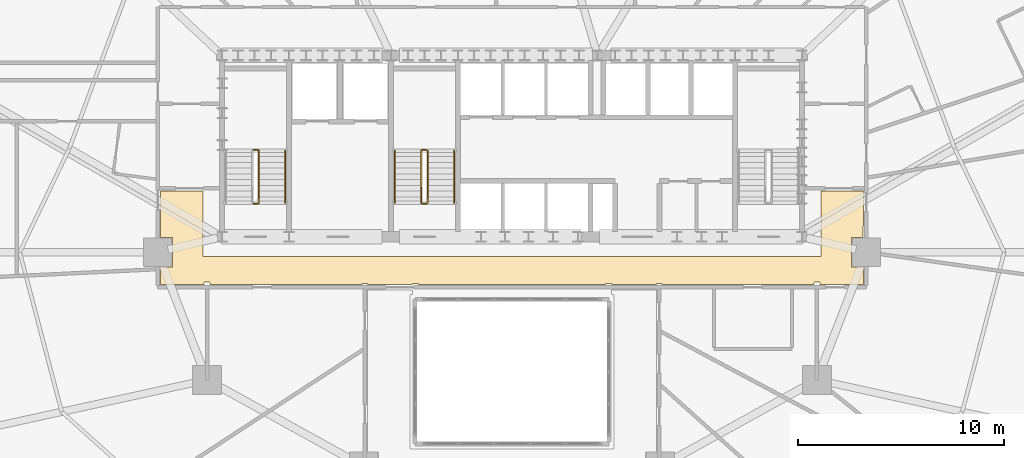
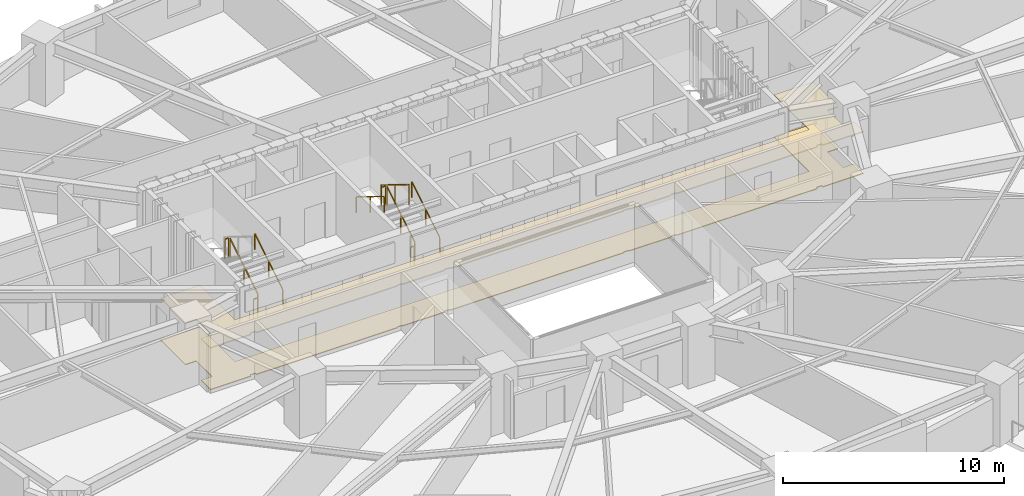
# One storey, part 15 of 17: 10 railings, 2 coverings.
"""IFC4 building model written with IfcOpenShell, lengths in metres."""

from ifc_helpers import new_model, si_unit, direction, frame, origin, origin_2d, place, context, subcontext, project, spatial, polyline, rectangle, outline, extrude, material, layer, layer_set, type_object, element, save


model = new_model("IFC4")

# Units and contexts
model_context = context("Model", 3, precision=1e-05, world=origin(), true_north=direction((0.0, 1.0)))
body_context = subcontext(model_context, "Body", "Model", "MODEL_VIEW")
ifc_project = project(units=[si_unit("LENGTHUNIT", "METRE"), si_unit("AREAUNIT", "SQUARE_METRE"), si_unit("VOLUMEUNIT", "CUBIC_METRE"), si_unit("PLANEANGLEUNIT", "RADIAN"), si_unit("MASSUNIT", "GRAM", prefix="KILO")], contexts=[model_context])

# Site, building, storey
site_placement = place(None, origin())
site = spatial("IfcSite", under=ifc_project, at=site_placement, CompositionType="ELEMENT")
building_placement = place(site_placement, origin())
building = spatial("IfcBuilding", under=site, at=building_placement, Name="Haldorwick Loom Tower", CompositionType="ELEMENT")
storey_placement = place(building_placement, frame((0.0, 0.0, 65.39990234375)))
storey = spatial("IfcBuildingStorey", under=building, at=storey_placement, Name="L17", CompositionType="ELEMENT", Elevation=65.39990234375)

# Coverings
ifc_material_1 = material(Name="Mineral Fibre Acoustic Ceiling Tile")
ifc_layer_1 = layer(ifc_material_1, 0.054931640625, Name="Mineral Fibre Acoustic Ceiling Tile")
ifc_layer_set_1 = layer_set([ifc_layer_1], Name="Mineral Fibre Acoustic Ceiling Tile")
covering_type_1 = type_object("IfcCoveringType", Name="ARC-COV-CEIL2", PredefinedType="CEILING", material=ifc_layer_set_1)
covering_1_placement = place(storey_placement, frame((0.0, 0.0, 2.302001953125)))
element("IfcCovering", 1, at=covering_1_placement, inside=storey, type_object=covering_type_1, Name="L17 Acoustic Suspended Ceiling 2", PredefinedType="CEILING", context=body_context, shape_type="SweptSolid", body=[
    extrude(outline(polyline([(51.0, 28.9599609375), (51.0, 25.800048828125), (21.0, 25.800048828125), (21.0, 28.9599609375), (18.93994140625, 28.9599609375), (18.93994140625, 26.7080078125), (19.508056640625, 26.7080078125), (19.508056640625, 25.2919921875), (18.93994140625, 25.2919921875), (18.93994140625, 24.43994140625), (21.06005859375, 24.43994140625), (21.06005859375, 24.52001953125), (21.06005859375, 24.52197265625), (21.060302734375, 24.52392578125), (21.060791015625, 24.52587890625), (21.0615234375, 24.527587890625), (21.0625, 24.529296875), (21.0634765625, 24.531005859375), (21.064453125, 24.53271484375), (21.06591796875, 24.5341796875), (21.0673828125, 24.535400390625), (21.06884765625, 24.53662109375), (21.070556640625, 24.53759765625), (21.072265625, 24.53857421875), (21.07421875, 24.5390625), (21.076171875, 24.53955078125), (21.077880859375, 24.539794921875), (21.080078125, 24.5400390625), (21.320068359375, 24.5400390625), (21.322021484375, 24.539794921875), (21.323974609375, 24.53955078125), (21.32568359375, 24.5390625), (21.32763671875, 24.53857421875), (21.329345703125, 24.53759765625), (21.3310546875, 24.53662109375), (21.332763671875, 24.535400390625), (21.333984375, 24.5341796875), (21.33544921875, 24.53271484375), (21.336669921875, 24.531005859375), (21.337646484375, 24.529296875), (21.33837890625, 24.527587890625), (21.339111328125, 24.52587890625), (21.339599609375, 24.52392578125), (21.33984375, 24.52197265625), (21.340087890625, 24.52001953125), (21.340087890625, 24.43994140625), (28.7099609375, 24.43994140625), (28.7099609375, 24.469970703125), (28.710205078125, 24.471923828125), (28.71044921875, 24.473876953125), (28.7109375, 24.475830078125), (28.71142578125, 24.477783203125), (28.71240234375, 24.4794921875), (28.71337890625, 24.481201171875), (28.714599609375, 24.482666015625), (28.7158203125, 24.484130859375), (28.71728515625, 24.485595703125), (28.718994140625, 24.486572265625), (28.720703125, 24.487548828125), (28.722412109375, 24.488525390625), (28.72412109375, 24.489013671875), (28.72607421875, 24.489501953125), (28.72802734375, 24.489990234375), (28.72998046875, 24.489990234375), (28.969970703125, 24.489990234375), (28.971923828125, 24.489990234375), (28.973876953125, 24.489501953125), (28.975830078125, 24.489013671875), (28.977783203125, 24.488525390625), (28.9794921875, 24.487548828125), (28.981201171875, 24.486572265625), (28.982666015625, 24.485595703125), (28.984130859375, 24.484130859375), (28.985595703125, 24.482666015625), (28.986572265625, 24.481201171875), (28.987548828125, 24.4794921875), (28.988525390625, 24.477783203125), (28.989013671875, 24.475830078125), (28.989501953125, 24.473876953125), (28.989990234375, 24.471923828125), (28.989990234375, 24.469970703125), (28.989990234375, 24.43994140625), (31.179931640625, 24.43994140625), (31.179931640625, 24.469970703125), (31.18017578125, 24.471923828125), (31.180419921875, 24.473876953125), (31.180908203125, 24.475830078125), (31.181396484375, 24.477783203125), (31.182373046875, 24.4794921875), (31.183349609375, 24.481201171875), (31.1845703125, 24.482666015625), (31.185791015625, 24.484130859375), (31.187255859375, 24.485595703125), (31.18896484375, 24.486572265625), (31.190673828125, 24.487548828125), (31.1923828125, 24.488525390625), (31.194091796875, 24.489013671875), (31.196044921875, 24.489501953125), (31.197998046875, 24.489990234375), (31.199951171875, 24.489990234375), (31.43994140625, 24.489990234375), (31.44189453125, 24.489990234375), (31.44384765625, 24.489501953125), (31.44580078125, 24.489013671875), (31.44775390625, 24.488525390625), (31.449462890625, 24.487548828125), (31.451171875, 24.486572265625), (31.45263671875, 24.485595703125), (31.4541015625, 24.484130859375), (31.45556640625, 24.482666015625), (31.45654296875, 24.481201171875), (31.45751953125, 24.4794921875), (31.45849609375, 24.477783203125), (31.458984375, 24.475830078125), (31.459716796875, 24.473876953125), (31.4599609375, 24.471923828125), (31.4599609375, 24.469970703125), (31.4599609375, 24.43994140625), (40.5400390625, 24.43994140625), (40.5400390625, 24.469970703125), (40.5400390625, 24.471923828125), (40.540283203125, 24.473876953125), (40.541015625, 24.475830078125), (40.54150390625, 24.477783203125), (40.54248046875, 24.4794921875), (40.54345703125, 24.481201171875), (40.54443359375, 24.482666015625), (40.5458984375, 24.484130859375), (40.54736328125, 24.485595703125), (40.548828125, 24.486572265625), (40.550537109375, 24.487548828125), (40.55224609375, 24.488525390625), (40.55419921875, 24.489013671875), (40.55615234375, 24.489501953125), (40.55810546875, 24.489990234375), (40.56005859375, 24.489990234375), (40.800048828125, 24.489990234375), (40.802001953125, 24.489990234375), (40.803955078125, 24.489501953125), (40.805908203125, 24.489013671875), (40.8076171875, 24.488525390625), (40.809326171875, 24.487548828125), (40.81103515625, 24.486572265625), (40.812744140625, 24.485595703125), (40.814208984375, 24.484130859375), (40.8154296875, 24.482666015625), (40.816650390625, 24.481201171875), (40.817626953125, 24.4794921875), (40.818603515625, 24.477783203125), (40.819091796875, 24.475830078125), (40.819580078125, 24.473876953125), (40.81982421875, 24.471923828125), (40.820068359375, 24.469970703125), (40.820068359375, 24.43994140625), (43.010009765625, 24.43994140625), (43.010009765625, 24.469970703125), (43.010009765625, 24.471923828125), (43.010498046875, 24.473876953125), (43.010986328125, 24.475830078125), (43.011474609375, 24.477783203125), (43.012451171875, 24.4794921875), (43.013427734375, 24.481201171875), (43.014404296875, 24.482666015625), (43.015869140625, 24.484130859375), (43.017333984375, 24.485595703125), (43.018798828125, 24.486572265625), (43.0205078125, 24.487548828125), (43.022216796875, 24.488525390625), (43.024169921875, 24.489013671875), (43.026123046875, 24.489501953125), (43.028076171875, 24.489990234375), (43.030029296875, 24.489990234375), (43.27001953125, 24.489990234375), (43.27197265625, 24.489990234375), (43.27392578125, 24.489501953125), (43.27587890625, 24.489013671875), (43.277587890625, 24.488525390625), (43.279296875, 24.487548828125), (43.281005859375, 24.486572265625), (43.28271484375, 24.485595703125), (43.2841796875, 24.484130859375), (43.285400390625, 24.482666015625), (43.28662109375, 24.481201171875), (43.28759765625, 24.4794921875), (43.28857421875, 24.477783203125), (43.2890625, 24.475830078125), (43.28955078125, 24.473876953125), (43.289794921875, 24.471923828125), (43.2900390625, 24.469970703125), (43.2900390625, 24.43994140625), (50.659912109375, 24.43994140625), (50.659912109375, 24.52001953125), (50.66015625, 24.52197265625), (50.660400390625, 24.52392578125), (50.660888671875, 24.52587890625), (50.66162109375, 24.527587890625), (50.662353515625, 24.529296875), (50.663330078125, 24.531005859375), (50.66455078125, 24.53271484375), (50.666015625, 24.5341796875), (50.667236328125, 24.535400390625), (50.6689453125, 24.53662109375), (50.670654296875, 24.53759765625), (50.67236328125, 24.53857421875), (50.67431640625, 24.5390625), (50.676025390625, 24.53955078125), (50.677978515625, 24.539794921875), (50.679931640625, 24.5400390625), (50.919921875, 24.5400390625), (50.922119140625, 24.539794921875), (50.923828125, 24.53955078125), (50.92578125, 24.5390625), (50.927734375, 24.53857421875), (50.929443359375, 24.53759765625), (50.93115234375, 24.53662109375), (50.9326171875, 24.535400390625), (50.93408203125, 24.5341796875), (50.935546875, 24.53271484375), (50.9365234375, 24.531005859375), (50.9375, 24.529296875), (50.9384765625, 24.527587890625), (50.939208984375, 24.52587890625), (50.939697265625, 24.52392578125), (50.93994140625, 24.52197265625), (50.93994140625, 24.52001953125), (50.93994140625, 24.43994140625), (53.06005859375, 24.43994140625), (53.06005859375, 25.2919921875), (52.491943359375, 25.2919921875), (52.491943359375, 26.7080078125), (53.048583984375, 26.7080078125), (53.059814453125, 28.9599609375), (51.0, 28.9599609375)])), origin(), (0.0, 0.0, 1.0), 0.05517578125),
])
ifc_material_2 = material(Name="Polished Aggregate Terrazzo Finish")
ifc_layer_2 = layer(ifc_material_2, 0.044921875, Name="Polished Aggregate Terrazzo Finish")
ifc_layer_set_2 = layer_set([ifc_layer_2], Name="Polished Aggregate Terrazzo Finish")
covering_type_2 = type_object("IfcCoveringType", Name="ARC-COV-FLOOR2", PredefinedType="FLOORING", material=ifc_layer_set_2)
covering_2_placement = place(storey_placement, origin())
element("IfcCovering", 2, at=covering_2_placement, inside=storey, type_object=covering_type_2, Name="L17 Floor Finish 2", PredefinedType="FLOORING", context=body_context, shape_type="SweptSolid", body=[
    extrude(outline(polyline([(51.0, 28.9599609375), (51.0, 25.800048828125), (21.0, 25.800048828125), (21.0, 28.9599609375), (18.93994140625, 28.9599609375), (18.93994140625, 26.7080078125), (19.508056640625, 26.7080078125), (19.508056640625, 25.2919921875), (18.93994140625, 25.2919921875), (18.93994140625, 24.43994140625), (21.06005859375, 24.43994140625), (21.06005859375, 24.52001953125), (21.06005859375, 24.52197265625), (21.060302734375, 24.52392578125), (21.060791015625, 24.52587890625), (21.0615234375, 24.527587890625), (21.0625, 24.529296875), (21.0634765625, 24.531005859375), (21.064453125, 24.53271484375), (21.06591796875, 24.5341796875), (21.0673828125, 24.535400390625), (21.06884765625, 24.53662109375), (21.070556640625, 24.53759765625), (21.072265625, 24.53857421875), (21.07421875, 24.5390625), (21.076171875, 24.53955078125), (21.077880859375, 24.539794921875), (21.080078125, 24.5400390625), (21.320068359375, 24.5400390625), (21.322021484375, 24.539794921875), (21.323974609375, 24.53955078125), (21.32568359375, 24.5390625), (21.32763671875, 24.53857421875), (21.329345703125, 24.53759765625), (21.3310546875, 24.53662109375), (21.332763671875, 24.535400390625), (21.333984375, 24.5341796875), (21.33544921875, 24.53271484375), (21.336669921875, 24.531005859375), (21.337646484375, 24.529296875), (21.33837890625, 24.527587890625), (21.339111328125, 24.52587890625), (21.339599609375, 24.52392578125), (21.33984375, 24.52197265625), (21.340087890625, 24.52001953125), (21.340087890625, 24.43994140625), (28.7099609375, 24.43994140625), (28.7099609375, 24.469970703125), (28.710205078125, 24.471923828125), (28.71044921875, 24.473876953125), (28.7109375, 24.475830078125), (28.71142578125, 24.477783203125), (28.71240234375, 24.4794921875), (28.71337890625, 24.481201171875), (28.714599609375, 24.482666015625), (28.7158203125, 24.484130859375), (28.71728515625, 24.485595703125), (28.718994140625, 24.486572265625), (28.720703125, 24.487548828125), (28.722412109375, 24.488525390625), (28.72412109375, 24.489013671875), (28.72607421875, 24.489501953125), (28.72802734375, 24.489990234375), (28.72998046875, 24.489990234375), (28.969970703125, 24.489990234375), (28.971923828125, 24.489990234375), (28.973876953125, 24.489501953125), (28.975830078125, 24.489013671875), (28.977783203125, 24.488525390625), (28.9794921875, 24.487548828125), (28.981201171875, 24.486572265625), (28.982666015625, 24.485595703125), (28.984130859375, 24.484130859375), (28.985595703125, 24.482666015625), (28.986572265625, 24.481201171875), (28.987548828125, 24.4794921875), (28.988525390625, 24.477783203125), (28.989013671875, 24.475830078125), (28.989501953125, 24.473876953125), (28.989990234375, 24.471923828125), (28.989990234375, 24.469970703125), (28.989990234375, 24.43994140625), (31.179931640625, 24.43994140625), (31.179931640625, 24.469970703125), (31.18017578125, 24.471923828125), (31.180419921875, 24.473876953125), (31.180908203125, 24.475830078125), (31.181396484375, 24.477783203125), (31.182373046875, 24.4794921875), (31.183349609375, 24.481201171875), (31.1845703125, 24.482666015625), (31.185791015625, 24.484130859375), (31.187255859375, 24.485595703125), (31.18896484375, 24.486572265625), (31.190673828125, 24.487548828125), (31.1923828125, 24.488525390625), (31.194091796875, 24.489013671875), (31.196044921875, 24.489501953125), (31.197998046875, 24.489990234375), (31.199951171875, 24.489990234375), (31.43994140625, 24.489990234375), (31.44189453125, 24.489990234375), (31.44384765625, 24.489501953125), (31.44580078125, 24.489013671875), (31.44775390625, 24.488525390625), (31.449462890625, 24.487548828125), (31.451171875, 24.486572265625), (31.45263671875, 24.485595703125), (31.4541015625, 24.484130859375), (31.45556640625, 24.482666015625), (31.45654296875, 24.481201171875), (31.45751953125, 24.4794921875), (31.45849609375, 24.477783203125), (31.458984375, 24.475830078125), (31.459716796875, 24.473876953125), (31.4599609375, 24.471923828125), (31.4599609375, 24.469970703125), (31.4599609375, 24.43994140625), (40.5400390625, 24.43994140625), (40.5400390625, 24.469970703125), (40.5400390625, 24.471923828125), (40.540283203125, 24.473876953125), (40.541015625, 24.475830078125), (40.54150390625, 24.477783203125), (40.54248046875, 24.4794921875), (40.54345703125, 24.481201171875), (40.54443359375, 24.482666015625), (40.5458984375, 24.484130859375), (40.54736328125, 24.485595703125), (40.548828125, 24.486572265625), (40.550537109375, 24.487548828125), (40.55224609375, 24.488525390625), (40.55419921875, 24.489013671875), (40.55615234375, 24.489501953125), (40.55810546875, 24.489990234375), (40.56005859375, 24.489990234375), (40.800048828125, 24.489990234375), (40.802001953125, 24.489990234375), (40.803955078125, 24.489501953125), (40.805908203125, 24.489013671875), (40.8076171875, 24.488525390625), (40.809326171875, 24.487548828125), (40.81103515625, 24.486572265625), (40.812744140625, 24.485595703125), (40.814208984375, 24.484130859375), (40.8154296875, 24.482666015625), (40.816650390625, 24.481201171875), (40.817626953125, 24.4794921875), (40.818603515625, 24.477783203125), (40.819091796875, 24.475830078125), (40.819580078125, 24.473876953125), (40.81982421875, 24.471923828125), (40.820068359375, 24.469970703125), (40.820068359375, 24.43994140625), (43.010009765625, 24.43994140625), (43.010009765625, 24.469970703125), (43.010009765625, 24.471923828125), (43.010498046875, 24.473876953125), (43.010986328125, 24.475830078125), (43.011474609375, 24.477783203125), (43.012451171875, 24.4794921875), (43.013427734375, 24.481201171875), (43.014404296875, 24.482666015625), (43.015869140625, 24.484130859375), (43.017333984375, 24.485595703125), (43.018798828125, 24.486572265625), (43.0205078125, 24.487548828125), (43.022216796875, 24.488525390625), (43.024169921875, 24.489013671875), (43.026123046875, 24.489501953125), (43.028076171875, 24.489990234375), (43.030029296875, 24.489990234375), (43.27001953125, 24.489990234375), (43.27197265625, 24.489990234375), (43.27392578125, 24.489501953125), (43.27587890625, 24.489013671875), (43.277587890625, 24.488525390625), (43.279296875, 24.487548828125), (43.281005859375, 24.486572265625), (43.28271484375, 24.485595703125), (43.2841796875, 24.484130859375), (43.285400390625, 24.482666015625), (43.28662109375, 24.481201171875), (43.28759765625, 24.4794921875), (43.28857421875, 24.477783203125), (43.2890625, 24.475830078125), (43.28955078125, 24.473876953125), (43.289794921875, 24.471923828125), (43.2900390625, 24.469970703125), (43.2900390625, 24.43994140625), (50.659912109375, 24.43994140625), (50.659912109375, 24.52001953125), (50.66015625, 24.52197265625), (50.660400390625, 24.52392578125), (50.660888671875, 24.52587890625), (50.66162109375, 24.527587890625), (50.662353515625, 24.529296875), (50.663330078125, 24.531005859375), (50.66455078125, 24.53271484375), (50.666015625, 24.5341796875), (50.667236328125, 24.535400390625), (50.6689453125, 24.53662109375), (50.670654296875, 24.53759765625), (50.67236328125, 24.53857421875), (50.67431640625, 24.5390625), (50.676025390625, 24.53955078125), (50.677978515625, 24.539794921875), (50.679931640625, 24.5400390625), (50.919921875, 24.5400390625), (50.922119140625, 24.539794921875), (50.923828125, 24.53955078125), (50.92578125, 24.5390625), (50.927734375, 24.53857421875), (50.929443359375, 24.53759765625), (50.93115234375, 24.53662109375), (50.9326171875, 24.535400390625), (50.93408203125, 24.5341796875), (50.935546875, 24.53271484375), (50.9365234375, 24.531005859375), (50.9375, 24.529296875), (50.9384765625, 24.527587890625), (50.939208984375, 24.52587890625), (50.939697265625, 24.52392578125), (50.93994140625, 24.52197265625), (50.93994140625, 24.52001953125), (50.93994140625, 24.43994140625), (53.06005859375, 24.43994140625), (53.06005859375, 25.2919921875), (52.491943359375, 25.2919921875), (52.491943359375, 26.7080078125), (53.048583984375, 26.7080078125), (53.059814453125, 28.9599609375), (51.0, 28.9599609375)])), origin(), (0.0, 0.0, 1.0), 0.045166015625),
])

# Railings
ifc_material_3 = material(Name="Steel CSA G40.21 350W", Category="steel")
railing_type_1 = type_object("IfcRailingType", Name="ARC-RLG-GUARD112", PredefinedType="GUARDRAIL", material=ifc_material_3)
railing_1_placement = place(storey_placement, frame((23.699951171875, 28.39990234375, 0.172607421875)))
element("IfcRailing", 3, at=railing_1_placement, inside=storey, type_object=railing_type_1, Name="L17 ST-01 stair guard 1", PredefinedType="GUARDRAIL", context=body_context, shape_type="SweptSolid", body=[
    extrude(rectangle(XDim=0.048095703125, YDim=0.048095703125, at=origin_2d()), frame((0.0, 0.0, 1.076171875), z_axis=(0.0, 0.851400495292, 0.524516154772), x_axis=(-1.0, 0.0, 0.0)), (0.0, 0.0, 1.0), 2.9599609375),
    extrude(rectangle(XDim=0.0419921875, YDim=0.0419921875, at=origin_2d()), origin(), (0.0, 0.0, 1.0), 1.052001953125),
    extrude(rectangle(XDim=0.0419921875, YDim=0.0419921875, at=origin_2d()), frame((0.0, 1.260009765625, 0.7763671875)), (0.0, 0.0, 1.0), 1.052001953125),
    extrude(rectangle(XDim=0.0419921875, YDim=0.0419921875, at=origin_2d()), frame((0.0, 2.52001953125, 1.552490234375)), (0.0, 0.0, 1.0), 1.052001953125),
])
for number, where, name in (
    (4, (23.64990234375, 30.969970703125, 1.72509765625), "L17 ST-01 stair guard 2"),
    (5, (23.64990234375, 28.35009765625, 0.0), "L17 ST-01 stair guard 4"),
):
    element("IfcRailing", number, at=place(storey_placement, frame(where)), inside=storey, type_object=railing_type_1, Name=name, PredefinedType="GUARDRAIL", context=body_context, shape_type="SweptSolid", body=[
        extrude(rectangle(XDim=0.048095703125, YDim=0.048095703125, at=origin_2d()), frame((0.0, 0.0, 1.076171875), z_axis=(-1.0, 0.0, 0.0), x_axis=(0.0, -1.0, 0.0)), (0.0, 0.0, 1.0), 0.199951171875),
        extrude(rectangle(XDim=0.0419921875, YDim=0.0419921875, at=origin_2d()), origin(), (0.0, 0.0, 1.0), 1.052001953125),
        extrude(rectangle(XDim=0.0419921875, YDim=0.0419921875, at=origin_2d()), frame((-0.199951171875, 0.0, 0.0)), (0.0, 0.0, 1.0), 1.052001953125),
    ])
railing_2_placement = place(storey_placement, frame((31.89990234375, 28.39990234375, 0.172607421875)))
element("IfcRailing", 6, at=railing_2_placement, inside=storey, type_object=railing_type_1, Name="L17 ST-03 stair guard 1", PredefinedType="GUARDRAIL", context=body_context, shape_type="SweptSolid", body=[
    extrude(rectangle(XDim=0.048095703125, YDim=0.048095703125, at=origin_2d()), frame((0.0, 0.0, 1.076171875), z_axis=(0.0, 0.851400495292, 0.524516154772), x_axis=(-1.0, 0.0, 0.0)), (0.0, 0.0, 1.0), 2.9599609375),
    extrude(rectangle(XDim=0.0419921875, YDim=0.0419921875, at=origin_2d()), origin(), (0.0, 0.0, 1.0), 1.052001953125),
    extrude(rectangle(XDim=0.0419921875, YDim=0.0419921875, at=origin_2d()), frame((0.0, 1.260009765625, 0.7763671875)), (0.0, 0.0, 1.0), 1.052001953125),
    extrude(rectangle(XDim=0.0419921875, YDim=0.0419921875, at=origin_2d()), frame((0.0, 2.52001953125, 1.552490234375)), (0.0, 0.0, 1.0), 1.052001953125),
])
railing_3_placement = place(storey_placement, frame((31.85009765625, 30.969970703125, 1.72509765625)))
element("IfcRailing", 7, at=railing_3_placement, inside=storey, type_object=railing_type_1, Name="L17 ST-03 stair guard 2", PredefinedType="GUARDRAIL", context=body_context, shape_type="SweptSolid", body=[
    extrude(rectangle(XDim=0.048095703125, YDim=0.048095703125, at=origin_2d()), frame((0.0, 0.0, 1.076171875), z_axis=(-1.0, 0.0, 0.0), x_axis=(0.0, -1.0, 0.0)), (0.0, 0.0, 1.0), 0.2001953125),
    extrude(rectangle(XDim=0.0419921875, YDim=0.0419921875, at=origin_2d()), origin(), (0.0, 0.0, 1.0), 1.052001953125),
    extrude(rectangle(XDim=0.0419921875, YDim=0.0419921875, at=origin_2d()), frame((-0.2001953125, 0.0, 0.0)), (0.0, 0.0, 1.0), 1.052001953125),
])
railing_4_placement = place(storey_placement, frame((31.60009765625, 30.919921875, 1.897705078125)))
element("IfcRailing", 8, at=railing_4_placement, inside=storey, type_object=railing_type_1, Name="L17 ST-03 stair guard 3", PredefinedType="GUARDRAIL", context=body_context, shape_type="SweptSolid", body=[
    extrude(rectangle(XDim=0.048095703125, YDim=0.048095703125, at=origin_2d()), frame((0.0, 0.0, 1.076171875), z_axis=(0.0, -0.851400495292, 0.524516154772), x_axis=(1.0, 0.0, 0.0)), (0.0, 0.0, 1.0), 2.9599609375),
    extrude(rectangle(XDim=0.0419921875, YDim=0.0419921875, at=origin_2d()), origin(), (0.0, 0.0, 1.0), 1.052001953125),
    extrude(rectangle(XDim=0.0419921875, YDim=0.0419921875, at=origin_2d()), frame((0.0, -1.260009765625, 0.7763671875)), (0.0, 0.0, 1.0), 1.052001953125),
    extrude(rectangle(XDim=0.0419921875, YDim=0.0419921875, at=origin_2d()), frame((0.0, -2.52001953125, 1.552490234375)), (0.0, 0.0, 1.0), 1.052001953125),
])
railing_5_placement = place(storey_placement, frame((31.85009765625, 28.35009765625, 0.0)))
element("IfcRailing", 9, at=railing_5_placement, inside=storey, type_object=railing_type_1, Name="L17 ST-03 stair guard 4", PredefinedType="GUARDRAIL", context=body_context, shape_type="SweptSolid", body=[
    extrude(rectangle(XDim=0.048095703125, YDim=0.048095703125, at=origin_2d()), frame((0.0, 0.0, 1.076171875), z_axis=(-1.0, 0.0, 0.0), x_axis=(0.0, -1.0, 0.0)), (0.0, 0.0, 1.0), 0.2001953125),
    extrude(rectangle(XDim=0.0419921875, YDim=0.0419921875, at=origin_2d()), origin(), (0.0, 0.0, 1.0), 1.052001953125),
    extrude(rectangle(XDim=0.0419921875, YDim=0.0419921875, at=origin_2d()), frame((-0.2001953125, 0.0, 0.0)), (0.0, 0.0, 1.0), 1.052001953125),
])
railing_type_2 = type_object("IfcRailingType", Name="ARC-RLG-HAND092", PredefinedType="HANDRAIL", material=ifc_material_3)
for number, where, name in (
    (10, (25.0, 28.39990234375, 0.172607421875), "L17 ST-01 stair handrail 1"),
    (11, (33.199951171875, 28.39990234375, 0.172607421875), "L17 ST-03 stair handrail 1"),
):
    element("IfcRailing", number, at=place(storey_placement, frame(where)), inside=storey, type_object=railing_type_2, Name=name, PredefinedType="HANDRAIL", context=body_context, shape_type="SweptSolid", body=[
        extrude(rectangle(XDim=0.048095703125, YDim=0.048095703125, at=origin_2d()), frame((0.0, 0.0, 0.8759765625), z_axis=(0.0, 0.851400495292, 0.524516154772), x_axis=(-1.0, 0.0, 0.0)), (0.0, 0.0, 1.0), 2.9599609375),
        extrude(rectangle(XDim=0.0419921875, YDim=0.0419921875, at=origin_2d()), origin(), (0.0, 0.0, 1.0), 0.851806640625),
        extrude(rectangle(XDim=0.0419921875, YDim=0.0419921875, at=origin_2d()), frame((0.0, 1.260009765625, 0.7763671875)), (0.0, 0.0, 1.0), 0.851806640625),
        extrude(rectangle(XDim=0.0419921875, YDim=0.0419921875, at=origin_2d()), frame((0.0, 2.52001953125, 1.552490234375)), (0.0, 0.0, 1.0), 0.851806640625),
    ])
railing_6_placement = place(storey_placement, frame((30.300048828125, 30.919921875, 1.897705078125)))
element("IfcRailing", 12, at=railing_6_placement, inside=storey, type_object=railing_type_2, Name="L17 ST-03 stair handrail 2", PredefinedType="HANDRAIL", context=body_context, shape_type="SweptSolid", body=[
    extrude(rectangle(XDim=0.048095703125, YDim=0.048095703125, at=origin_2d()), frame((0.0, 0.0, 0.8759765625), z_axis=(0.0, -0.851400495292, 0.524516154772), x_axis=(1.0, 0.0, 0.0)), (0.0, 0.0, 1.0), 2.9599609375),
    extrude(rectangle(XDim=0.0419921875, YDim=0.0419921875, at=origin_2d()), origin(), (0.0, 0.0, 1.0), 0.851806640625),
    extrude(rectangle(XDim=0.0419921875, YDim=0.0419921875, at=origin_2d()), frame((0.0, -1.260009765625, 0.7763671875)), (0.0, 0.0, 1.0), 0.851806640625),
    extrude(rectangle(XDim=0.0419921875, YDim=0.0419921875, at=origin_2d()), frame((0.0, -2.52001953125, 1.552490234375)), (0.0, 0.0, 1.0), 0.851806640625),
])

save(model, "model.ifc")
